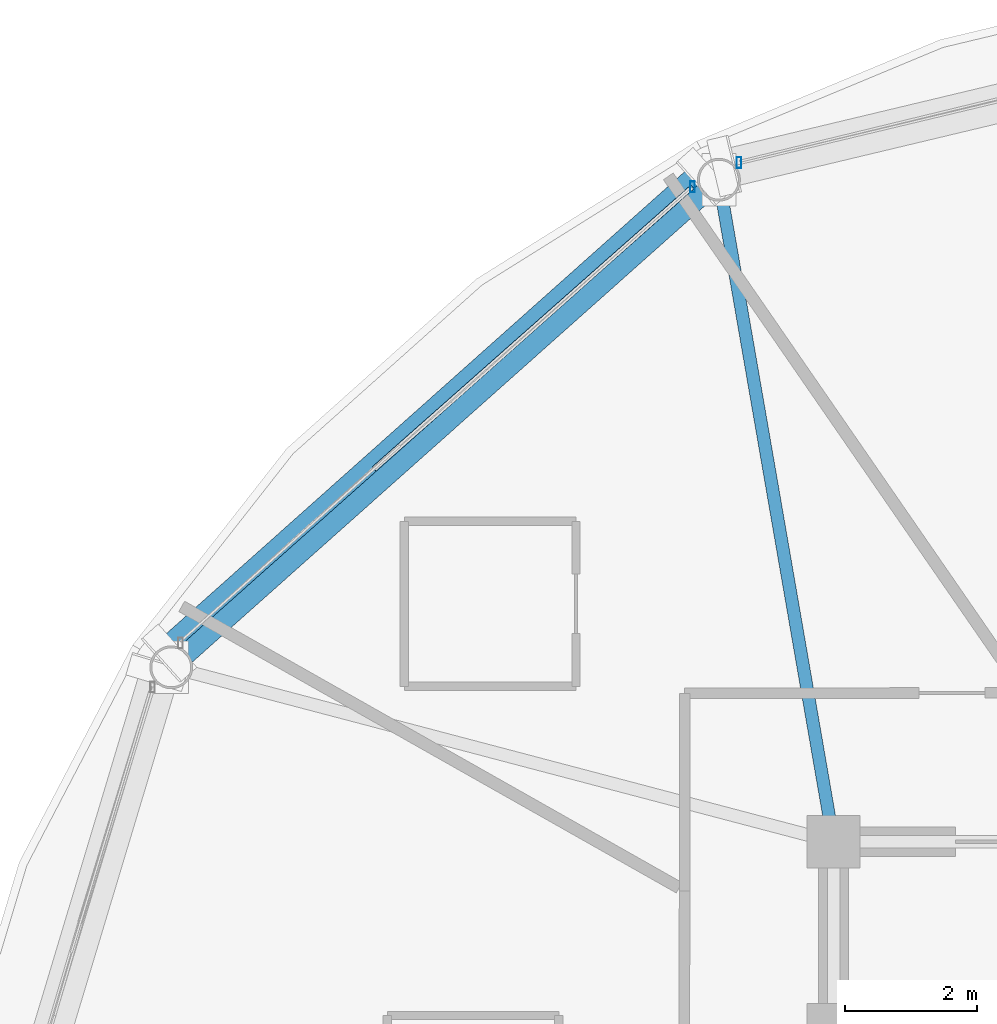
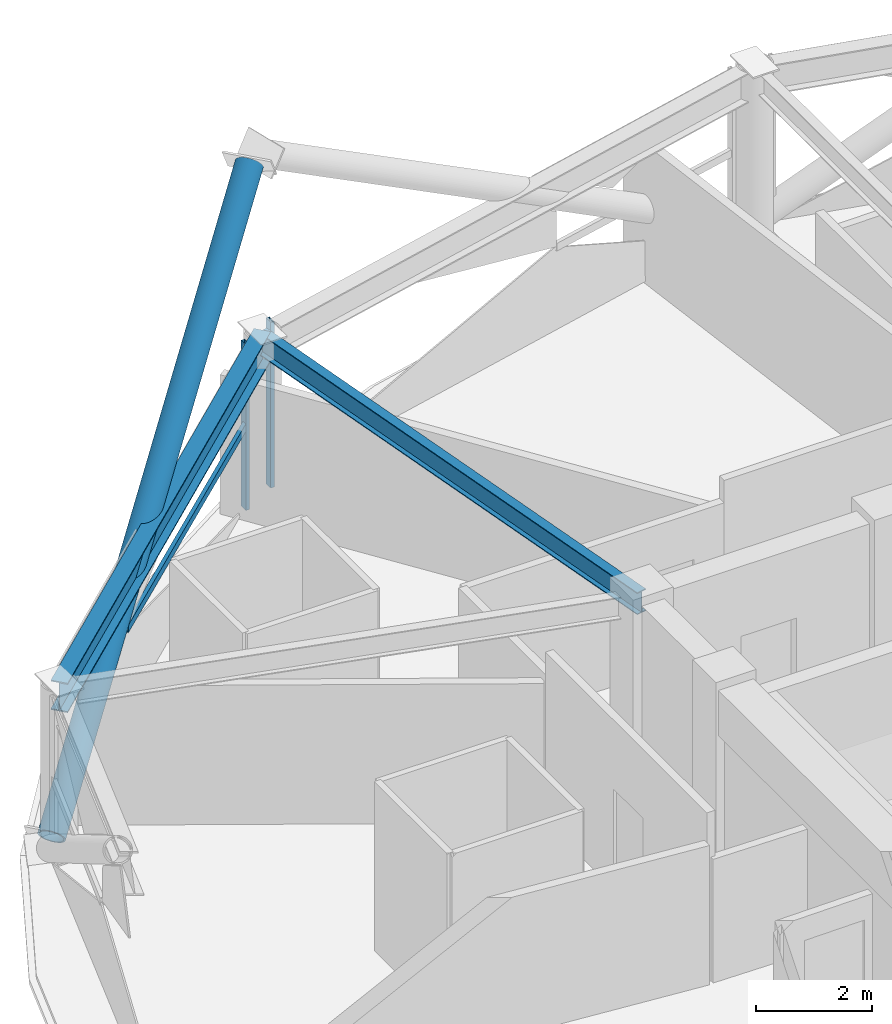
# One storey, part 17 of 30: 4 members, 2 beams, 2 elements without a shape of their own.
"""IFC4 building model written with IfcOpenShell, lengths in metres."""

import ifcopenshell
import ifcopenshell.guid

model = None  # the IFC model being written
_history = None  # IfcOwnerHistory: only IFC2X3 demands one
_inside = {}  # id of a spatial element -> (the spatial element, [elements in it])
_under = {}  # id of a project, library or spatial element -> (it, [spatial elements below it])
_declared = {}  # id of a project -> (the project, [libraries it declares])
_typed = {}  # id of a type object -> (the type object, [elements of that type])
_made_of = {}  # id of a material, layer set ... -> (it, [elements and type objects made of it])


def new_model(schema):
    """Start an empty IFC model of exactly this schema.

    Asked for "IFC4X3", IfcOpenShell would pick the latest addendum, in which some entities
    have other attributes; the version numbers below select the first issue.
    IFC2X3 requires an IfcOwnerHistory on every rooted entity: one is made here for all.
    """
    global model, _history
    if schema == "IFC4X3":
        model = ifcopenshell.file(schema_version=(4, 3, 0, 0))
    else:
        model = ifcopenshell.file(schema=schema)
    _inside.clear()
    _under.clear()
    _declared.clear()
    _typed.clear()
    _made_of.clear()
    _history = None
    if model.schema == "IFC2X3":
        org = make("IfcOrganization", Name="unknown")
        user = make(
            "IfcPersonAndOrganization",
            ThePerson=make("IfcPerson", FamilyName="unknown"),
            TheOrganization=org,
        )
        app = make(
            "IfcApplication",
            ApplicationDeveloper=org,
            Version="unknown",
            ApplicationFullName="unknown",
            ApplicationIdentifier="unknown",
        )
        _history = make(
            "IfcOwnerHistory",
            OwningUser=user,
            OwningApplication=app,
            ChangeAction="ADDED",
            CreationDate=0,
        )
    return model


def make(cls, **values):
    """One entity of the class cls with the attributes given. An attribute that is None is left unset."""
    return model.create_entity(
        cls, **{name: value for name, value in values.items() if value is not None}
    )


def rooted(cls, **values):
    """An entity with a GlobalId (a new one), such as an element, a storey or a relation."""
    return make(cls, GlobalId=ifcopenshell.guid.new(), OwnerHistory=_history, **values)


def si_unit(unit_type, name, prefix=None):
    """IfcSIUnit, for example si_unit("LENGTHUNIT", "METRE", prefix="MILLI")."""
    return make("IfcSIUnit", UnitType=unit_type, Prefix=prefix, Name=name)


def assignment(units):
    """IfcUnitAssignment: the units of a project."""
    return None if units is None else make("IfcUnitAssignment", Units=units)


def point(xyz):
    """IfcCartesianPoint."""
    return None if xyz is None else make("IfcCartesianPoint", Coordinates=xyz)


def direction(xyz):
    """IfcDirection."""
    return None if xyz is None else make("IfcDirection", DirectionRatios=xyz)


def frame(location, z_axis=None, x_axis=None):
    """IfcAxis2Placement3D, a coordinate frame: its origin and axes. An axis left out is left unset."""
    return make(
        "IfcAxis2Placement3D",
        Location=point(location),
        Axis=direction(z_axis),
        RefDirection=direction(x_axis),
    )


def frame_2d(location, x_axis=None):
    """IfcAxis2Placement2D, a coordinate frame in the plane: its origin and x axis."""
    return make(
        "IfcAxis2Placement2D", Location=point(location), RefDirection=direction(x_axis)
    )


def origin():
    """The frame at (0, 0, 0) with its axes left unset."""
    return frame((0.0, 0.0, 0.0))


def origin_2d():
    """The frame at (0, 0) in the plane with its x axis left unset."""
    return frame_2d((0.0, 0.0))


def place(relative_to, where):
    """IfcLocalPlacement: puts the frame where relative to a parent placement (None: the world)."""
    return make(
        "IfcLocalPlacement", PlacementRelTo=relative_to, RelativePlacement=where
    )


def context(
    kind, dimensions, precision=None, world=None, true_north=None, identifier=None
):
    """IfcGeometricRepresentationContext, for example the 3D "Model" context."""
    return make(
        "IfcGeometricRepresentationContext",
        ContextIdentifier=identifier,
        ContextType=kind,
        CoordinateSpaceDimension=dimensions,
        Precision=precision,
        WorldCoordinateSystem=world,
        TrueNorth=true_north,
    )


def subcontext(parent, identifier, kind, view, scale=None):
    """IfcGeometricRepresentationSubContext, for example "Body" below "Model"."""
    return make(
        "IfcGeometricRepresentationSubContext",
        ContextIdentifier=identifier,
        ContextType=kind,
        ParentContext=parent,
        TargetScale=scale,
        TargetView=view,
    )


def project(units=None, contexts=None):
    """IfcProject with its units and contexts."""
    return rooted(
        "IfcProject",
        Name="project",
        RepresentationContexts=contexts,
        UnitsInContext=assignment(units),
    )


def spatial(cls, under=None, at=None, **own):
    """A site, building, storey or space (cls), placed at a placement, below another one or the project."""
    s = rooted(cls, ObjectPlacement=at, **own)
    if under is not None:
        _under.setdefault(under.id(), (under, []))[1].append(s)
    return s


def profile(cls, at=None, kind="AREA", **sizes):
    """A parametric profile (cls). Its sizes go by their IFC names, for example OverallWidth=200.0."""
    return make(cls, ProfileType=kind, Position=at, **sizes)


def hollow_rectangle(**sizes):
    """IfcRectangleHollowProfileDef."""
    return profile("IfcRectangleHollowProfileDef", **sizes)


def hollow_circle(**sizes):
    """IfcCircleHollowProfileDef."""
    return profile("IfcCircleHollowProfileDef", **sizes)


def i_section(**sizes):
    """IfcIShapeProfileDef."""
    return profile("IfcIShapeProfileDef", **sizes)


def extrude(swept, where, along, depth):
    """IfcExtrudedAreaSolid: the profile swept, set in the frame where, extruded along a direction by depth."""
    return make(
        "IfcExtrudedAreaSolid",
        SweptArea=swept,
        Position=where,
        ExtrudedDirection=direction(along),
        Depth=depth,
    )


def shape(context_of_items, identifier, shape_type, items):
    """IfcShapeRepresentation: the items that make up one representation, for example the "Body"."""
    return make(
        "IfcShapeRepresentation",
        ContextOfItems=context_of_items,
        RepresentationIdentifier=identifier,
        RepresentationType=shape_type,
        Items=items,
    )


def material(Name=None, Category=None):
    """IfcMaterial."""
    return make("IfcMaterial", Name=Name, Category=Category)


def layer(
    of_material, thickness, ventilated=None, Name=None, Category=None, Priority=None
):
    """IfcMaterialLayer: one layer of a wall or slab, of a material (None: an air gap)."""
    return make(
        "IfcMaterialLayer",
        Material=of_material,
        LayerThickness=thickness,
        IsVentilated=ventilated,
        Name=Name,
        Category=Category,
        Priority=Priority,
    )


def layer_set(layers, Name=None):
    """IfcMaterialLayerSet."""
    return make("IfcMaterialLayerSet", MaterialLayers=layers, LayerSetName=Name)


def material_profile(
    of_material, cross_section, Name=None, Category=None, Priority=None
):
    """IfcMaterialProfile: a cross section and its material."""
    return make(
        "IfcMaterialProfile",
        Name=Name,
        Material=of_material,
        Profile=cross_section,
        Priority=Priority,
        Category=Category,
    )


def profile_set(profiles, Name=None, composite=None):
    """IfcMaterialProfileSet."""
    return make(
        "IfcMaterialProfileSet",
        Name=Name,
        MaterialProfiles=profiles,
        CompositeProfile=composite,
    )


def made_of(thing, what):
    """Note that an element or type object is made of a material, layer set ...; save() writes the relation."""
    if what is not None:
        _made_of.setdefault(what.id(), (what, []))[1].append(thing)
    return thing


def type_object(cls, material=None, **own):
    """A type object (cls), such as IfcWallType, which elements share."""
    return made_of(rooted(cls, **own), material)


def element(
    cls,
    number,
    at=None,
    inside=None,
    cuts=None,
    type_object=None,
    material=None,
    context=None,
    identifier="Body",
    shape_type=None,
    held_by="IfcProductDefinitionShape",
    body=None,
    shapes=None,
    **own,
):
    """One element of the class cls, such as IfcWall. Its Tag is "e" and its number.

    at: its placement. inside: the storey or other place that contains it. cuts: it is an
    opening in that element (IfcRelVoidsElement). A single representation is given by context,
    identifier, shape_type and body (its items); several are given by shapes. held_by: the class
    of the entity that holds the representations. save() writes the other relations.
    """
    e = rooted(cls, Tag="e%d" % number, ObjectPlacement=at, **own)
    if body is not None:
        shapes = [shape(context, identifier, shape_type, body)]
    if shapes is not None:
        e.Representation = make(held_by, Representations=shapes)
    if inside is not None:
        _inside.setdefault(inside.id(), (inside, []))[1].append(e)
    if cuts is not None:
        rooted(
            "IfcRelVoidsElement", RelatingBuildingElement=cuts, RelatedOpeningElement=e
        )
    if type_object is not None:
        _typed.setdefault(type_object.id(), (type_object, []))[1].append(e)
    return made_of(e, material)


def aggregate(whole, parts):
    """IfcRelAggregates: a whole, such as a stair, and the parts it consists of."""
    return rooted("IfcRelAggregates", RelatingObject=whole, RelatedObjects=parts)


def save(model, path):
    """Write the relations noted so far, then the file.

    IfcRelAggregates (storeys below a building ...), IfcRelContainedInSpatialStructure (elements
    in a storey), IfcRelDefinesByType, IfcRelAssociatesMaterial and IfcRelDeclares: one each for
    every whole, place, type object, material and project.
    """
    for whole, parts in _under.values():
        aggregate(whole, parts)
    for where, things in _inside.values():
        rooted(
            "IfcRelContainedInSpatialStructure",
            RelatedElements=things,
            RelatingStructure=where,
        )
    for kind, things in _typed.values():
        rooted("IfcRelDefinesByType", RelatedObjects=things, RelatingType=kind)
    for what, things in _made_of.values():
        rooted("IfcRelAssociatesMaterial", RelatedObjects=things, RelatingMaterial=what)
    for by, libraries in _declared.values():
        rooted("IfcRelDeclares", RelatingContext=by, RelatedDefinitions=libraries)
    model.write(path)


model = new_model("IFC4")

# Units and contexts
model_context = context("Model", 3, precision=1e-05, world=origin(), true_north=direction((0.0, 1.0)))
body_context = subcontext(model_context, "Body", "Model", "MODEL_VIEW")
ifc_project = project(units=[si_unit("LENGTHUNIT", "METRE"), si_unit("AREAUNIT", "SQUARE_METRE"), si_unit("VOLUMEUNIT", "CUBIC_METRE"), si_unit("PLANEANGLEUNIT", "RADIAN"), si_unit("MASSUNIT", "GRAM", prefix="KILO")], contexts=[model_context])

# Site, building, storey
site_placement = place(None, origin())
site = spatial("IfcSite", under=ifc_project, at=site_placement, CompositionType="ELEMENT")
building_placement = place(site_placement, origin())
building = spatial("IfcBuilding", under=site, at=building_placement, Name="Vantalir Tower", CompositionType="ELEMENT")
storey_placement = place(building_placement, frame((0.0, 0.0, 189.89990234375)))
storey = spatial("IfcBuildingStorey", under=building, at=storey_placement, Name="L47", CompositionType="ELEMENT", Elevation=189.89990234375)

# Beams
ifc_material_1 = material(Name="Steel S355", Category="steel")
ifc_material_profile_1 = material_profile(ifc_material_1, i_section(OverallWidth=0.19189453125, OverallDepth=0.462890625, WebThickness=0.010498046875, FlangeThickness=0.017578125, at=origin_2d()), Name="Steel S355")
ifc_profile_set_1 = profile_set([ifc_material_profile_1], Name="Steel S355")
beam_type_1 = type_object("IfcBeamType", Name="BM-RB-457x191", PredefinedType="BEAM", material=ifc_profile_set_1)
beam_1_placement = place(storey_placement, frame((20.162109375, 42.48291015625, 3.338134765625), z_axis=(0.170667231152, -0.98532872495, 0.0), x_axis=(0.98532872495, 0.170667231152, 0.0)))
element("IfcBeam", 1, at=beam_1_placement, inside=storey, type_object=beam_type_1, Name="L47 Radial Floor Beam 05", PredefinedType="BEAM", context=body_context, shape_type="SweptSolid", body=[
    extrude(i_section(OverallWidth=0.19189453125, OverallDepth=0.462890625, WebThickness=0.010498046875, FlangeThickness=0.017578125, at=origin_2d()), origin(), (0.0, 0.0, 1.0), 10.182373046875),
])
ifc_material_2 = material(Name="Steel S460", Category="steel")
ifc_material_profile_2 = material_profile(ifc_material_2, i_section(OverallWidth=0.306884765625, OverallDepth=0.6201171875, WebThickness=0.01416015625, FlangeThickness=0.023681640625, at=origin_2d()), Name="Steel S460")
ifc_profile_set_2 = profile_set([ifc_material_profile_2], Name="Steel S460")
beam_type_2 = type_object("IfcBeamType", Name="BM-RG-610x305", PredefinedType="USERDEFINED", material=ifc_profile_set_2)
beam_2_placement = place(storey_placement, frame((20.162109375, 42.48291015625, 3.260009765625), z_axis=(-0.746913346666, -0.664921388265, 0.0), x_axis=(0.664921388265, -0.746913346666, 0.0)))
element("IfcBeam", 2, at=beam_2_placement, inside=storey, type_object=beam_type_2, Name="L47 Circumferential Ring Girder 05", ObjectType="GIRDER", PredefinedType="USERDEFINED", context=body_context, shape_type="SweptSolid", body=[
    extrude(i_section(OverallWidth=0.306884765625, OverallDepth=0.6201171875, WebThickness=0.01416015625, FlangeThickness=0.023681640625, at=origin_2d()), origin(), (0.0, 0.0, 1.0), 11.112548828125),
])

# Curtain wall, member
ifc_material_3 = material(Name="Champagne-silver PVDF aluminium and double-silver Low-E glass", Category="aluminium")
ifc_layer = layer(ifc_material_3, 0.2099609375)
ifc_layer_set = layer_set([ifc_layer], Name="Champagne-silver PVDF aluminium and double-silver Low-E glass")
curtain_wall_type = type_object("IfcCurtainWallType", Name="CW-DIAMOND-Z3", PredefinedType="USERDEFINED", material=ifc_layer_set)
curtain_wall_1_placement = place(storey_placement, origin())
curtain_wall_1 = element("IfcCurtainWall", 3, at=curtain_wall_1_placement, inside=storey, type_object=curtain_wall_type, Name="L47 Quilted Pyramid-Diamond Curtain Wall S04", ObjectType="UNITISED CURTAIN WALL", PredefinedType="USERDEFINED")
ifc_material_4 = material(Name="Champagne-silver PVDF aluminium 6063-T6", Category="aluminium")
ifc_material_profile_3 = material_profile(ifc_material_4, hollow_rectangle(XDim=0.070068359375, YDim=0.1650390625, WallThickness=0.00390625, at=origin_2d()), Name="Champagne-silver PVDF aluminium 6063-T6")
ifc_profile_set_3 = profile_set([ifc_material_profile_3], Name="Champagne-silver PVDF aluminium 6063-T6")
member_type_1 = type_object("IfcMemberType", Name="CWM-165x70", PredefinedType="MULLION", material=ifc_profile_set_3)
member_1_placement = place(storey_placement, frame((20.466064453125, 42.742919921875, 0.045166015625), z_axis=(0.0, 0.0, 1.0), x_axis=(1.0, 0.0, 0.0)))
member_1 = element("IfcMember", 4, at=member_1_placement, type_object=member_type_1, Name="CW-L47-S04 Mullion 2", PredefinedType="MULLION", context=body_context, shape_type="SweptSolid", body=[
    extrude(hollow_rectangle(XDim=0.070068359375, YDim=0.1650390625, WallThickness=0.00390625, at=origin_2d()), origin(), (0.0, 0.0, 1.0), 3.47998046875),
])
aggregate(curtain_wall_1, [member_1])

# Curtain wall, members
curtain_wall_2_placement = place(storey_placement, origin())
curtain_wall_2 = element("IfcCurtainWall", 5, at=curtain_wall_2_placement, inside=storey, type_object=curtain_wall_type, Name="L47 Quilted Pyramid-Diamond Curtain Wall S05", ObjectType="UNITISED CURTAIN WALL", PredefinedType="USERDEFINED")
member_2_placement = place(storey_placement, frame((19.760986328125, 42.375, 0.045166015625), z_axis=(0.0, 0.0, 1.0), x_axis=(1.0, 0.0, 0.0)))
member_2 = element("IfcMember", 6, at=member_2_placement, type_object=member_type_1, Name="CW-L47-S05 Mullion 1", PredefinedType="MULLION", context=body_context, shape_type="SweptSolid", body=[
    extrude(hollow_rectangle(XDim=0.070068359375, YDim=0.1650390625, WallThickness=0.00390625, at=origin_2d()), origin(), (0.0, 0.0, 1.0), 3.47998046875),
])
ifc_material_profile_4 = material_profile(ifc_material_4, hollow_rectangle(XDim=0.074951171875, YDim=0.159912109375, WallThickness=0.00390625, at=origin_2d()), Name="Champagne-silver PVDF aluminium 6063-T6")
ifc_profile_set_4 = profile_set([ifc_material_profile_4], Name="Champagne-silver PVDF aluminium 6063-T6")
member_type_2 = type_object("IfcMemberType", Name="CWT-160x75", PredefinedType="USERDEFINED", material=ifc_profile_set_4)
member_3_placement = place(storey_placement, frame((19.760986328125, 42.375, 1.78515625), z_axis=(-0.749065949805, -0.662495436092, 0.0), x_axis=(0.662495436092, -0.749065949805, 0.0)))
member_3 = element("IfcMember", 7, at=member_3_placement, type_object=member_type_2, Name="CW-L47-S05 Pyramid Fold Ridge Transom", ObjectType="TRANSOM", PredefinedType="USERDEFINED", context=body_context, shape_type="SweptSolid", body=[
    extrude(hollow_rectangle(XDim=0.074951171875, YDim=0.159912109375, WallThickness=0.00390625, at=origin_2d()), origin(), (0.0, 0.0, 1.0), 6.44677734375),
])
aggregate(curtain_wall_2, [member_2, member_3])

# Member
ifc_material_profile_5 = material_profile(ifc_material_2, hollow_circle(Radius=0.25, WallThickness=0.031982421875, at=origin_2d()), Name="Steel S460")
ifc_profile_set_5 = profile_set([ifc_material_profile_5], Name="Steel S460")
member_type_3 = type_object("IfcMemberType", Name="MEM-DB-500x32", PredefinedType="BRACE", material=ifc_profile_set_5)
member_4_placement = place(storey_placement, frame((11.8349609375, 35.31201171875, 0.197998046875), z_axis=(0.629199562218, 0.560705573136, 0.53825381667), x_axis=(-0.665302591235, 0.746573815571, 0.0)))
element("IfcMember", 8, at=member_4_placement, inside=storey, type_object=member_type_3, Name="L47 Perimeter S460 Diagrid Brace R16R", PredefinedType="BRACE", context=body_context, shape_type="SweptSolid", body=[
    extrude(hollow_circle(Radius=0.25, WallThickness=0.031982421875, at=origin_2d()), origin(), (0.0, 0.0, 1.0), 12.864013671875),
])

save(model, "model.ifc")
